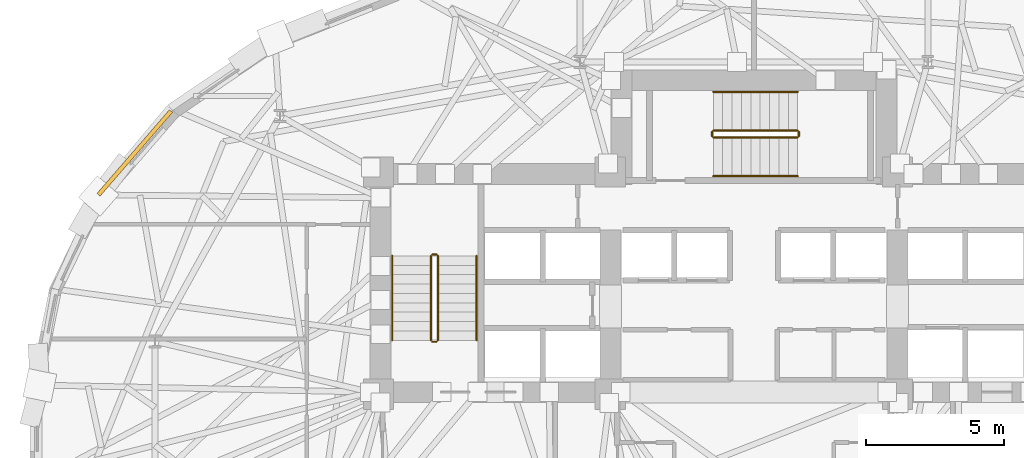
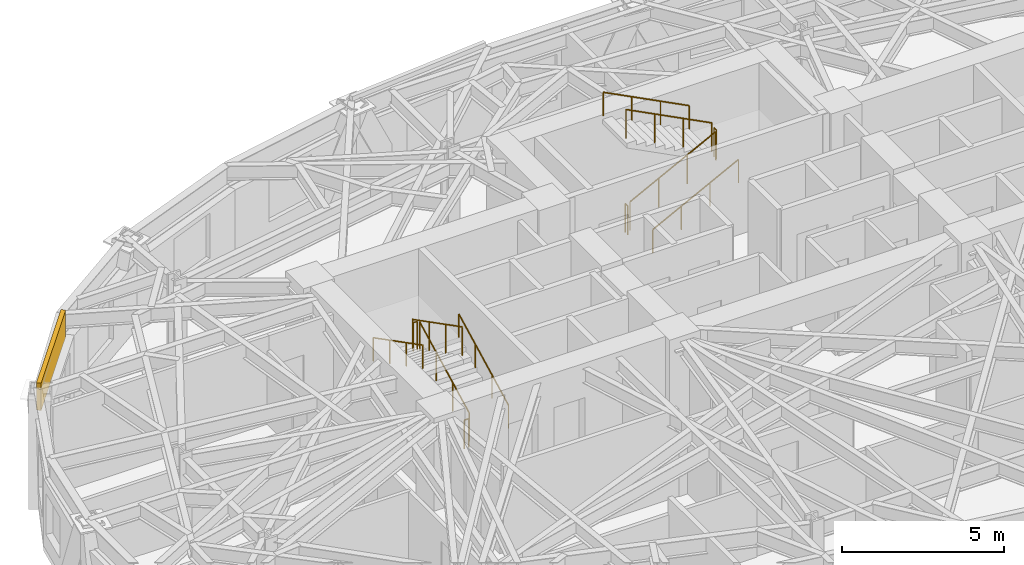
# One storey, part 12 of 14: 12 railings, 1 covering.
"""IFC4 building model written with IfcOpenShell, lengths in metres."""

import ifcopenshell
import ifcopenshell.guid

model = None  # the IFC model being written
_history = None  # IfcOwnerHistory: only IFC2X3 demands one
_inside = {}  # id of a spatial element -> (the spatial element, [elements in it])
_under = {}  # id of a project, library or spatial element -> (it, [spatial elements below it])
_declared = {}  # id of a project -> (the project, [libraries it declares])
_typed = {}  # id of a type object -> (the type object, [elements of that type])
_made_of = {}  # id of a material, layer set ... -> (it, [elements and type objects made of it])


def new_model(schema):
    """Start an empty IFC model of exactly this schema.

    Asked for "IFC4X3", IfcOpenShell would pick the latest addendum, in which some entities
    have other attributes; the version numbers below select the first issue.
    IFC2X3 requires an IfcOwnerHistory on every rooted entity: one is made here for all.
    """
    global model, _history
    if schema == "IFC4X3":
        model = ifcopenshell.file(schema_version=(4, 3, 0, 0))
    else:
        model = ifcopenshell.file(schema=schema)
    _inside.clear()
    _under.clear()
    _declared.clear()
    _typed.clear()
    _made_of.clear()
    _history = None
    if model.schema == "IFC2X3":
        org = make("IfcOrganization", Name="unknown")
        user = make(
            "IfcPersonAndOrganization",
            ThePerson=make("IfcPerson", FamilyName="unknown"),
            TheOrganization=org,
        )
        app = make(
            "IfcApplication",
            ApplicationDeveloper=org,
            Version="unknown",
            ApplicationFullName="unknown",
            ApplicationIdentifier="unknown",
        )
        _history = make(
            "IfcOwnerHistory",
            OwningUser=user,
            OwningApplication=app,
            ChangeAction="ADDED",
            CreationDate=0,
        )
    return model


def make(cls, **values):
    """One entity of the class cls with the attributes given. An attribute that is None is left unset."""
    return model.create_entity(
        cls, **{name: value for name, value in values.items() if value is not None}
    )


def rooted(cls, **values):
    """An entity with a GlobalId (a new one), such as an element, a storey or a relation."""
    return make(cls, GlobalId=ifcopenshell.guid.new(), OwnerHistory=_history, **values)


def si_unit(unit_type, name, prefix=None):
    """IfcSIUnit, for example si_unit("LENGTHUNIT", "METRE", prefix="MILLI")."""
    return make("IfcSIUnit", UnitType=unit_type, Prefix=prefix, Name=name)


def assignment(units):
    """IfcUnitAssignment: the units of a project."""
    return None if units is None else make("IfcUnitAssignment", Units=units)


def point(xyz):
    """IfcCartesianPoint."""
    return None if xyz is None else make("IfcCartesianPoint", Coordinates=xyz)


def direction(xyz):
    """IfcDirection."""
    return None if xyz is None else make("IfcDirection", DirectionRatios=xyz)


def frame(location, z_axis=None, x_axis=None):
    """IfcAxis2Placement3D, a coordinate frame: its origin and axes. An axis left out is left unset."""
    return make(
        "IfcAxis2Placement3D",
        Location=point(location),
        Axis=direction(z_axis),
        RefDirection=direction(x_axis),
    )


def frame_2d(location, x_axis=None):
    """IfcAxis2Placement2D, a coordinate frame in the plane: its origin and x axis."""
    return make(
        "IfcAxis2Placement2D", Location=point(location), RefDirection=direction(x_axis)
    )


def origin():
    """The frame at (0, 0, 0) with its axes left unset."""
    return frame((0.0, 0.0, 0.0))


def origin_2d():
    """The frame at (0, 0) in the plane with its x axis left unset."""
    return frame_2d((0.0, 0.0))


def place(relative_to, where):
    """IfcLocalPlacement: puts the frame where relative to a parent placement (None: the world)."""
    return make(
        "IfcLocalPlacement", PlacementRelTo=relative_to, RelativePlacement=where
    )


def context(
    kind, dimensions, precision=None, world=None, true_north=None, identifier=None
):
    """IfcGeometricRepresentationContext, for example the 3D "Model" context."""
    return make(
        "IfcGeometricRepresentationContext",
        ContextIdentifier=identifier,
        ContextType=kind,
        CoordinateSpaceDimension=dimensions,
        Precision=precision,
        WorldCoordinateSystem=world,
        TrueNorth=true_north,
    )


def subcontext(parent, identifier, kind, view, scale=None):
    """IfcGeometricRepresentationSubContext, for example "Body" below "Model"."""
    return make(
        "IfcGeometricRepresentationSubContext",
        ContextIdentifier=identifier,
        ContextType=kind,
        ParentContext=parent,
        TargetScale=scale,
        TargetView=view,
    )


def project(units=None, contexts=None):
    """IfcProject with its units and contexts."""
    return rooted(
        "IfcProject",
        Name="project",
        RepresentationContexts=contexts,
        UnitsInContext=assignment(units),
    )


def spatial(cls, under=None, at=None, **own):
    """A site, building, storey or space (cls), placed at a placement, below another one or the project."""
    s = rooted(cls, ObjectPlacement=at, **own)
    if under is not None:
        _under.setdefault(under.id(), (under, []))[1].append(s)
    return s


def profile(cls, at=None, kind="AREA", **sizes):
    """A parametric profile (cls). Its sizes go by their IFC names, for example OverallWidth=200.0."""
    return make(cls, ProfileType=kind, Position=at, **sizes)


def rectangle(**sizes):
    """IfcRectangleProfileDef."""
    return profile("IfcRectangleProfileDef", **sizes)


def circle(**sizes):
    """IfcCircleProfileDef."""
    return profile("IfcCircleProfileDef", **sizes)


def extrude(swept, where, along, depth):
    """IfcExtrudedAreaSolid: the profile swept, set in the frame where, extruded along a direction by depth."""
    return make(
        "IfcExtrudedAreaSolid",
        SweptArea=swept,
        Position=where,
        ExtrudedDirection=direction(along),
        Depth=depth,
    )


def shape(context_of_items, identifier, shape_type, items):
    """IfcShapeRepresentation: the items that make up one representation, for example the "Body"."""
    return make(
        "IfcShapeRepresentation",
        ContextOfItems=context_of_items,
        RepresentationIdentifier=identifier,
        RepresentationType=shape_type,
        Items=items,
    )


def material(Name=None, Category=None):
    """IfcMaterial."""
    return make("IfcMaterial", Name=Name, Category=Category)


def layer(
    of_material, thickness, ventilated=None, Name=None, Category=None, Priority=None
):
    """IfcMaterialLayer: one layer of a wall or slab, of a material (None: an air gap)."""
    return make(
        "IfcMaterialLayer",
        Material=of_material,
        LayerThickness=thickness,
        IsVentilated=ventilated,
        Name=Name,
        Category=Category,
        Priority=Priority,
    )


def layer_set(layers, Name=None):
    """IfcMaterialLayerSet."""
    return make("IfcMaterialLayerSet", MaterialLayers=layers, LayerSetName=Name)


def made_of(thing, what):
    """Note that an element or type object is made of a material, layer set ...; save() writes the relation."""
    if what is not None:
        _made_of.setdefault(what.id(), (what, []))[1].append(thing)
    return thing


def type_object(cls, material=None, **own):
    """A type object (cls), such as IfcWallType, which elements share."""
    return made_of(rooted(cls, **own), material)


def element(
    cls,
    number,
    at=None,
    inside=None,
    cuts=None,
    type_object=None,
    material=None,
    context=None,
    identifier="Body",
    shape_type=None,
    held_by="IfcProductDefinitionShape",
    body=None,
    shapes=None,
    **own,
):
    """One element of the class cls, such as IfcWall. Its Tag is "e" and its number.

    at: its placement. inside: the storey or other place that contains it. cuts: it is an
    opening in that element (IfcRelVoidsElement). A single representation is given by context,
    identifier, shape_type and body (its items); several are given by shapes. held_by: the class
    of the entity that holds the representations. save() writes the other relations.
    """
    e = rooted(cls, Tag="e%d" % number, ObjectPlacement=at, **own)
    if body is not None:
        shapes = [shape(context, identifier, shape_type, body)]
    if shapes is not None:
        e.Representation = make(held_by, Representations=shapes)
    if inside is not None:
        _inside.setdefault(inside.id(), (inside, []))[1].append(e)
    if cuts is not None:
        rooted(
            "IfcRelVoidsElement", RelatingBuildingElement=cuts, RelatedOpeningElement=e
        )
    if type_object is not None:
        _typed.setdefault(type_object.id(), (type_object, []))[1].append(e)
    return made_of(e, material)


def aggregate(whole, parts):
    """IfcRelAggregates: a whole, such as a stair, and the parts it consists of."""
    return rooted("IfcRelAggregates", RelatingObject=whole, RelatedObjects=parts)


def save(model, path):
    """Write the relations noted so far, then the file.

    IfcRelAggregates (storeys below a building ...), IfcRelContainedInSpatialStructure (elements
    in a storey), IfcRelDefinesByType, IfcRelAssociatesMaterial and IfcRelDeclares: one each for
    every whole, place, type object, material and project.
    """
    for whole, parts in _under.values():
        aggregate(whole, parts)
    for where, things in _inside.values():
        rooted(
            "IfcRelContainedInSpatialStructure",
            RelatedElements=things,
            RelatingStructure=where,
        )
    for kind, things in _typed.values():
        rooted("IfcRelDefinesByType", RelatedObjects=things, RelatingType=kind)
    for what, things in _made_of.values():
        rooted("IfcRelAssociatesMaterial", RelatedObjects=things, RelatingMaterial=what)
    for by, libraries in _declared.values():
        rooted("IfcRelDeclares", RelatingContext=by, RelatedDefinitions=libraries)
    model.write(path)


model = new_model("IFC4")

# Units and contexts
model_context = context("Model", 3, precision=1e-05, world=origin(), true_north=direction((0.0, 1.0)))
body_context = subcontext(model_context, "Body", "Model", "MODEL_VIEW")
ifc_project = project(units=[si_unit("LENGTHUNIT", "METRE"), si_unit("AREAUNIT", "SQUARE_METRE"), si_unit("VOLUMEUNIT", "CUBIC_METRE"), si_unit("PLANEANGLEUNIT", "RADIAN"), si_unit("MASSUNIT", "GRAM", prefix="KILO")], contexts=[model_context])

# Site, building, storey
site_placement = place(None, origin())
site = spatial("IfcSite", under=ifc_project, at=site_placement, CompositionType="ELEMENT")
building_placement = place(site_placement, origin())
building = spatial("IfcBuilding", under=site, at=building_placement, Name="Keldmark Tower", CompositionType="ELEMENT")
storey_placement = place(building_placement, frame((0.0, 0.0, 121.10009765625)))
storey = spatial("IfcBuildingStorey", under=building, at=storey_placement, Name="L32", CompositionType="ELEMENT", Elevation=121.10009765625)

# Covering
ifc_material_1 = material(Name="Honed Kasota Buff Dolomitic Limestone", Category="masonry")
ifc_layer = layer(ifc_material_1, 0.074951171875)
ifc_layer_set = layer_set([ifc_layer], Name="Honed Kasota Buff Dolomitic Limestone")
covering_type = type_object("IfcCoveringType", Name="Kasota Buff Limestone Spandrel Cladding Band", PredefinedType="CLADDING", material=ifc_layer_set)
covering_placement = place(storey_placement, frame((-22.42919921875, 10.138916015625, 2.45166015625), z_axis=(0.0, 0.0, 1.0), x_axis=(-0.654661657337, -0.755922029321, 0.0)))
element("IfcCovering", 1, at=covering_placement, inside=storey, type_object=covering_type, Name="L32 Kasota Limestone Spandrel Band 13", PredefinedType="CLADDING", context=body_context, shape_type="SweptSolid", body=[
    extrude(rectangle(XDim=4.013427734375, YDim=0.14990234375, at=origin_2d()), origin(), (0.0, 0.0, 1.0), 1.028076171875),
])

# Railings
ifc_material_2 = material(Name="Painted Steel ASTM A500 Grade B", Category="steel")
railing_type_1 = type_object("IfcRailingType", Name="Painted Steel Stair Well Guard 1100 mm", PredefinedType="GUARDRAIL", material=ifc_material_2)
railing_1_placement = place(storey_placement, frame((-11.449951171875, 3.35009765625, 0.1748046875)))
element("IfcRailing", 2, at=railing_1_placement, inside=storey, type_object=railing_type_1, Name="L32 ST1 stair guard 1", PredefinedType="GUARDRAIL", context=body_context, shape_type="SweptSolid", body=[
    extrude(circle(Radius=0.02392578125, at=origin_2d()), frame((0.0, 0.0, 1.076171875), z_axis=(0.0, 0.889101422983, 0.457710235465), x_axis=(-1.0, 0.0, 0.0)), (0.0, 0.0, 1.0), 3.44140625),
    extrude(circle(Radius=0.02099609375, at=origin_2d()), origin(), (0.0, 0.0, 1.0), 1.052001953125),
    extrude(circle(Radius=0.02099609375, at=origin_2d()), frame((0.0, 1.02001953125, 0.525146484375)), (0.0, 0.0, 1.0), 1.052001953125),
    extrude(circle(Radius=0.02099609375, at=origin_2d()), frame((0.0, 2.039794921875, 1.050048828125)), (0.0, 0.0, 1.0), 1.052001953125),
    extrude(circle(Radius=0.02099609375, at=origin_2d()), frame((0.0, 3.059814453125, 1.5751953125)), (0.0, 0.0, 1.0), 1.052001953125),
])
railing_2_placement = place(storey_placement, frame((-11.5, 6.4599609375, 1.75)))
element("IfcRailing", 3, at=railing_2_placement, inside=storey, type_object=railing_type_1, Name="L32 ST1 stair guard 2", PredefinedType="GUARDRAIL", context=body_context, shape_type="SweptSolid", body=[
    extrude(circle(Radius=0.02392578125, at=origin_2d()), frame((0.0, 0.0, 1.076171875), z_axis=(-1.0, 0.0, 0.0), x_axis=(0.0, -1.0, 0.0)), (0.0, 0.0, 1.0), 0.14990234375),
    extrude(circle(Radius=0.02099609375, at=origin_2d()), origin(), (0.0, 0.0, 1.0), 1.052001953125),
    extrude(circle(Radius=0.02099609375, at=origin_2d()), frame((-0.14990234375, 0.0, 0.0)), (0.0, 0.0, 1.0), 1.052001953125),
])
railing_3_placement = place(storey_placement, frame((-11.699951171875, 6.409912109375, 1.9248046875)))
element("IfcRailing", 4, at=railing_3_placement, inside=storey, type_object=railing_type_1, Name="L32 ST1 stair guard 3", PredefinedType="GUARDRAIL", context=body_context, shape_type="SweptSolid", body=[
    extrude(circle(Radius=0.02392578125, at=origin_2d()), frame((0.0, 0.0, 1.076171875), z_axis=(0.0, -0.889101422983, 0.457710235465), x_axis=(1.0, 0.0, 0.0)), (0.0, 0.0, 1.0), 3.44140625),
    extrude(circle(Radius=0.02099609375, at=origin_2d()), origin(), (0.0, 0.0, 1.0), 1.052001953125),
    extrude(circle(Radius=0.02099609375, at=origin_2d()), frame((0.0, -1.02001953125, 0.525146484375)), (0.0, 0.0, 1.0), 1.052001953125),
    extrude(circle(Radius=0.02099609375, at=origin_2d()), frame((0.0, -2.039794921875, 1.050048828125)), (0.0, 0.0, 1.0), 1.052001953125),
    extrude(circle(Radius=0.02099609375, at=origin_2d()), frame((0.0, -3.059814453125, 1.5751953125)), (0.0, 0.0, 1.0), 1.052001953125),
])
railing_4_placement = place(storey_placement, frame((-11.5, 3.300048828125, 0.0)))
element("IfcRailing", 5, at=railing_4_placement, inside=storey, type_object=railing_type_1, Name="L32 ST1 stair guard 4", PredefinedType="GUARDRAIL", context=body_context, shape_type="SweptSolid", body=[
    extrude(circle(Radius=0.02392578125, at=origin_2d()), frame((0.0, 0.0, 1.076171875), z_axis=(-1.0, 0.0, 0.0), x_axis=(0.0, -1.0, 0.0)), (0.0, 0.0, 1.0), 0.14990234375),
    extrude(circle(Radius=0.02099609375, at=origin_2d()), origin(), (0.0, 0.0, 1.0), 1.052001953125),
    extrude(circle(Radius=0.02099609375, at=origin_2d()), frame((-0.14990234375, 0.0, 0.0)), (0.0, 0.0, 1.0), 1.052001953125),
])
railing_5_placement = place(storey_placement, frame((-1.47509765625, 10.699951171875, 0.1748046875)))
element("IfcRailing", 6, at=railing_5_placement, inside=storey, type_object=railing_type_1, Name="L32 ST3 stair guard 1", PredefinedType="GUARDRAIL", context=body_context, shape_type="SweptSolid", body=[
    extrude(circle(Radius=0.02392578125, at=origin_2d()), frame((0.0, 0.0, 1.076171875), z_axis=(0.889116283586, 0.0, 0.457681367616), x_axis=(0.0, 1.0, 0.0)), (0.0, 0.0, 1.0), 3.441650390625),
    extrude(circle(Radius=0.02099609375, at=origin_2d()), origin(), (0.0, 0.0, 1.0), 1.052001953125),
    extrude(circle(Radius=0.02099609375, at=origin_2d()), frame((1.02001953125, 0.0, 0.525146484375)), (0.0, 0.0, 1.0), 1.052001953125),
    extrude(circle(Radius=0.02099609375, at=origin_2d()), frame((2.0400390625, 0.0, 1.050048828125)), (0.0, 0.0, 1.0), 1.052001953125),
    extrude(circle(Radius=0.02099609375, at=origin_2d()), frame((3.06005859375, 0.0, 1.5751953125)), (0.0, 0.0, 1.0), 1.052001953125),
])
railing_6_placement = place(storey_placement, frame((1.635009765625, 10.75, 1.75)))
element("IfcRailing", 7, at=railing_6_placement, inside=storey, type_object=railing_type_1, Name="L32 ST3 stair guard 2", PredefinedType="GUARDRAIL", context=body_context, shape_type="SweptSolid", body=[
    extrude(circle(Radius=0.02392578125, at=origin_2d()), frame((0.0, 0.0, 1.076171875), z_axis=(0.0, 1.0, 0.0), x_axis=(-1.0, 0.0, 0.0)), (0.0, 0.0, 1.0), 0.14990234375),
    extrude(circle(Radius=0.02099609375, at=origin_2d()), origin(), (0.0, 0.0, 1.0), 1.052001953125),
    extrude(circle(Radius=0.02099609375, at=origin_2d()), frame((0.0, 0.14990234375, 0.0)), (0.0, 0.0, 1.0), 1.052001953125),
])
railing_7_placement = place(storey_placement, frame((1.5849609375, 10.949951171875, 1.9248046875)))
element("IfcRailing", 8, at=railing_7_placement, inside=storey, type_object=railing_type_1, Name="L32 ST3 stair guard 3", PredefinedType="GUARDRAIL", context=body_context, shape_type="SweptSolid", body=[
    extrude(circle(Radius=0.02392578125, at=origin_2d()), frame((0.0, 0.0, 1.076171875), z_axis=(-0.889116283586, 0.0, 0.457681367616), x_axis=(0.0, -1.0, 0.0)), (0.0, 0.0, 1.0), 3.441650390625),
    extrude(circle(Radius=0.02099609375, at=origin_2d()), origin(), (0.0, 0.0, 1.0), 1.052001953125),
    extrude(circle(Radius=0.02099609375, at=origin_2d()), frame((-1.02001953125, 0.0, 0.525146484375)), (0.0, 0.0, 1.0), 1.052001953125),
    extrude(circle(Radius=0.02099609375, at=origin_2d()), frame((-2.0400390625, 0.0, 1.050048828125)), (0.0, 0.0, 1.0), 1.052001953125),
    extrude(circle(Radius=0.02099609375, at=origin_2d()), frame((-3.06005859375, 0.0, 1.5751953125)), (0.0, 0.0, 1.0), 1.052001953125),
])
railing_8_placement = place(storey_placement, frame((-1.52490234375, 10.75, 0.0)))
element("IfcRailing", 9, at=railing_8_placement, inside=storey, type_object=railing_type_1, Name="L32 ST3 stair guard 4", PredefinedType="GUARDRAIL", context=body_context, shape_type="SweptSolid", body=[
    extrude(circle(Radius=0.02392578125, at=origin_2d()), frame((0.0, 0.0, 1.076171875), z_axis=(0.0, 1.0, 0.0), x_axis=(-1.0, 0.0, 0.0)), (0.0, 0.0, 1.0), 0.14990234375),
    extrude(circle(Radius=0.02099609375, at=origin_2d()), origin(), (0.0, 0.0, 1.0), 1.052001953125),
    extrude(circle(Radius=0.02099609375, at=origin_2d()), frame((0.0, 0.14990234375, 0.0)), (0.0, 0.0, 1.0), 1.052001953125),
])
ifc_material_3 = material(Name="Stainless Steel AISI 316L", Category="steel")
railing_type_2 = type_object("IfcRailingType", Name="Stainless Steel Stair Handrail 900 mm", PredefinedType="HANDRAIL", material=ifc_material_3)
railing_9_placement = place(storey_placement, frame((-10.050048828125, 3.35009765625, 0.1748046875)))
element("IfcRailing", 10, at=railing_9_placement, inside=storey, type_object=railing_type_2, Name="L32 ST1 stair handrail 1", PredefinedType="HANDRAIL", context=body_context, shape_type="SweptSolid", body=[
    extrude(circle(Radius=0.02392578125, at=origin_2d()), frame((0.0, 0.0, 0.8759765625), z_axis=(0.0, 0.889101422983, 0.457710235465), x_axis=(-1.0, 0.0, 0.0)), (0.0, 0.0, 1.0), 3.44140625),
    extrude(circle(Radius=0.02099609375, at=origin_2d()), origin(), (0.0, 0.0, 1.0), 0.851806640625),
    extrude(circle(Radius=0.02099609375, at=origin_2d()), frame((0.0, 1.02001953125, 0.525146484375)), (0.0, 0.0, 1.0), 0.851806640625),
    extrude(circle(Radius=0.02099609375, at=origin_2d()), frame((0.0, 2.039794921875, 1.050048828125)), (0.0, 0.0, 1.0), 0.851806640625),
    extrude(circle(Radius=0.02099609375, at=origin_2d()), frame((0.0, 3.059814453125, 1.5751953125)), (0.0, 0.0, 1.0), 0.851806640625),
])
railing_10_placement = place(storey_placement, frame((-13.10009765625, 6.409912109375, 1.9248046875)))
element("IfcRailing", 11, at=railing_10_placement, inside=storey, type_object=railing_type_2, Name="L32 ST1 stair handrail 2", PredefinedType="HANDRAIL", context=body_context, shape_type="SweptSolid", body=[
    extrude(circle(Radius=0.02392578125, at=origin_2d()), frame((0.0, 0.0, 0.8759765625), z_axis=(0.0, -0.889101422983, 0.457710235465), x_axis=(1.0, 0.0, 0.0)), (0.0, 0.0, 1.0), 3.44140625),
    extrude(circle(Radius=0.02099609375, at=origin_2d()), origin(), (0.0, 0.0, 1.0), 0.851806640625),
    extrude(circle(Radius=0.02099609375, at=origin_2d()), frame((0.0, -1.02001953125, 0.525146484375)), (0.0, 0.0, 1.0), 0.851806640625),
    extrude(circle(Radius=0.02099609375, at=origin_2d()), frame((0.0, -2.039794921875, 1.050048828125)), (0.0, 0.0, 1.0), 0.851806640625),
    extrude(circle(Radius=0.02099609375, at=origin_2d()), frame((0.0, -3.059814453125, 1.5751953125)), (0.0, 0.0, 1.0), 0.851806640625),
])
railing_11_placement = place(storey_placement, frame((-1.47509765625, 9.300048828125, 0.1748046875)))
element("IfcRailing", 12, at=railing_11_placement, inside=storey, type_object=railing_type_2, Name="L32 ST3 stair handrail 1", PredefinedType="HANDRAIL", context=body_context, shape_type="SweptSolid", body=[
    extrude(circle(Radius=0.02392578125, at=origin_2d()), frame((0.0, 0.0, 0.8759765625), z_axis=(0.889116283586, 0.0, 0.457681367616), x_axis=(0.0, 1.0, 0.0)), (0.0, 0.0, 1.0), 3.441650390625),
    extrude(circle(Radius=0.02099609375, at=origin_2d()), origin(), (0.0, 0.0, 1.0), 0.851806640625),
    extrude(circle(Radius=0.02099609375, at=origin_2d()), frame((1.02001953125, 0.0, 0.525146484375)), (0.0, 0.0, 1.0), 0.851806640625),
    extrude(circle(Radius=0.02099609375, at=origin_2d()), frame((2.0400390625, 0.0, 1.050048828125)), (0.0, 0.0, 1.0), 0.851806640625),
    extrude(circle(Radius=0.02099609375, at=origin_2d()), frame((3.06005859375, 0.0, 1.5751953125)), (0.0, 0.0, 1.0), 0.851806640625),
])
railing_12_placement = place(storey_placement, frame((1.5849609375, 12.35009765625, 1.9248046875)))
element("IfcRailing", 13, at=railing_12_placement, inside=storey, type_object=railing_type_2, Name="L32 ST3 stair handrail 2", PredefinedType="HANDRAIL", context=body_context, shape_type="SweptSolid", body=[
    extrude(circle(Radius=0.02392578125, at=origin_2d()), frame((0.0, 0.0, 0.8759765625), z_axis=(-0.889116283586, 0.0, 0.457681367616), x_axis=(0.0, -1.0, 0.0)), (0.0, 0.0, 1.0), 3.441650390625),
    extrude(circle(Radius=0.02099609375, at=origin_2d()), origin(), (0.0, 0.0, 1.0), 0.851806640625),
    extrude(circle(Radius=0.02099609375, at=origin_2d()), frame((-1.02001953125, 0.0, 0.525146484375)), (0.0, 0.0, 1.0), 0.851806640625),
    extrude(circle(Radius=0.02099609375, at=origin_2d()), frame((-2.0400390625, 0.0, 1.050048828125)), (0.0, 0.0, 1.0), 0.851806640625),
    extrude(circle(Radius=0.02099609375, at=origin_2d()), frame((-3.06005859375, 0.0, 1.5751953125)), (0.0, 0.0, 1.0), 0.851806640625),
])

save(model, "model.ifc")
